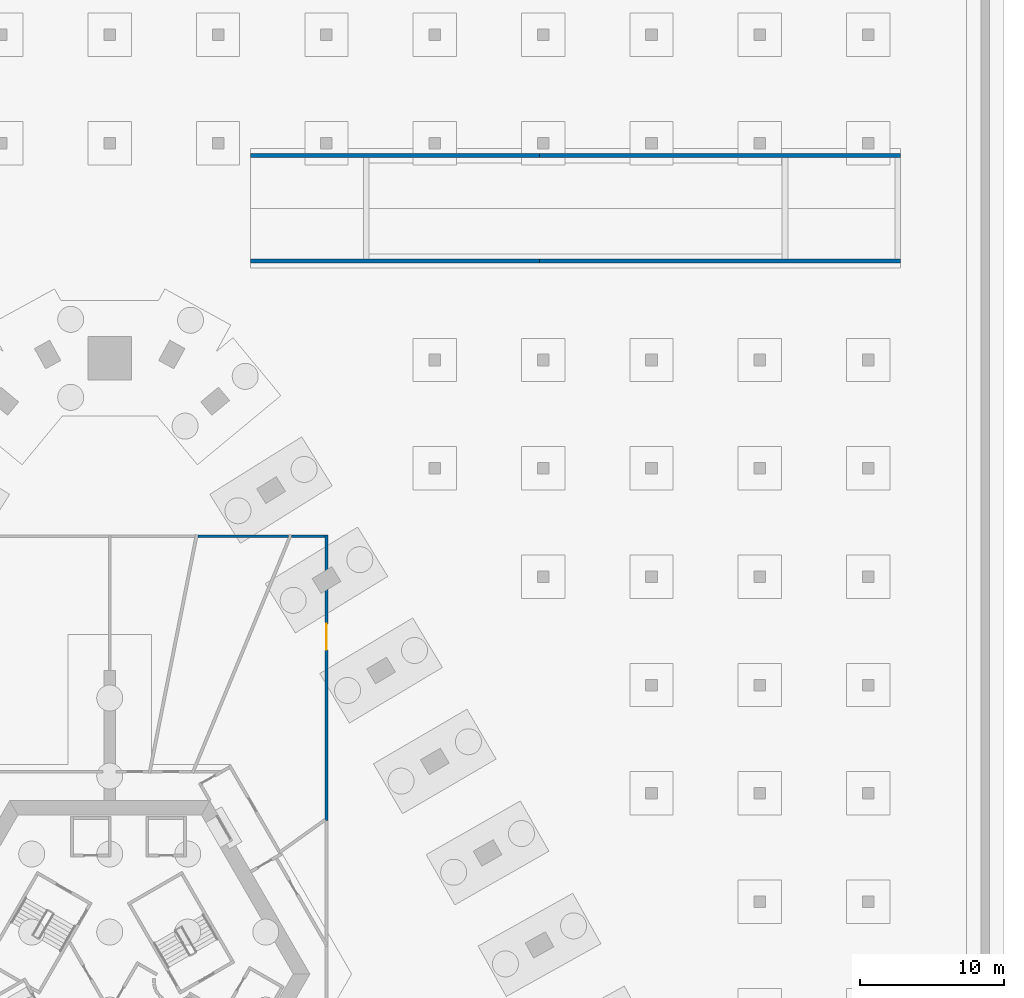
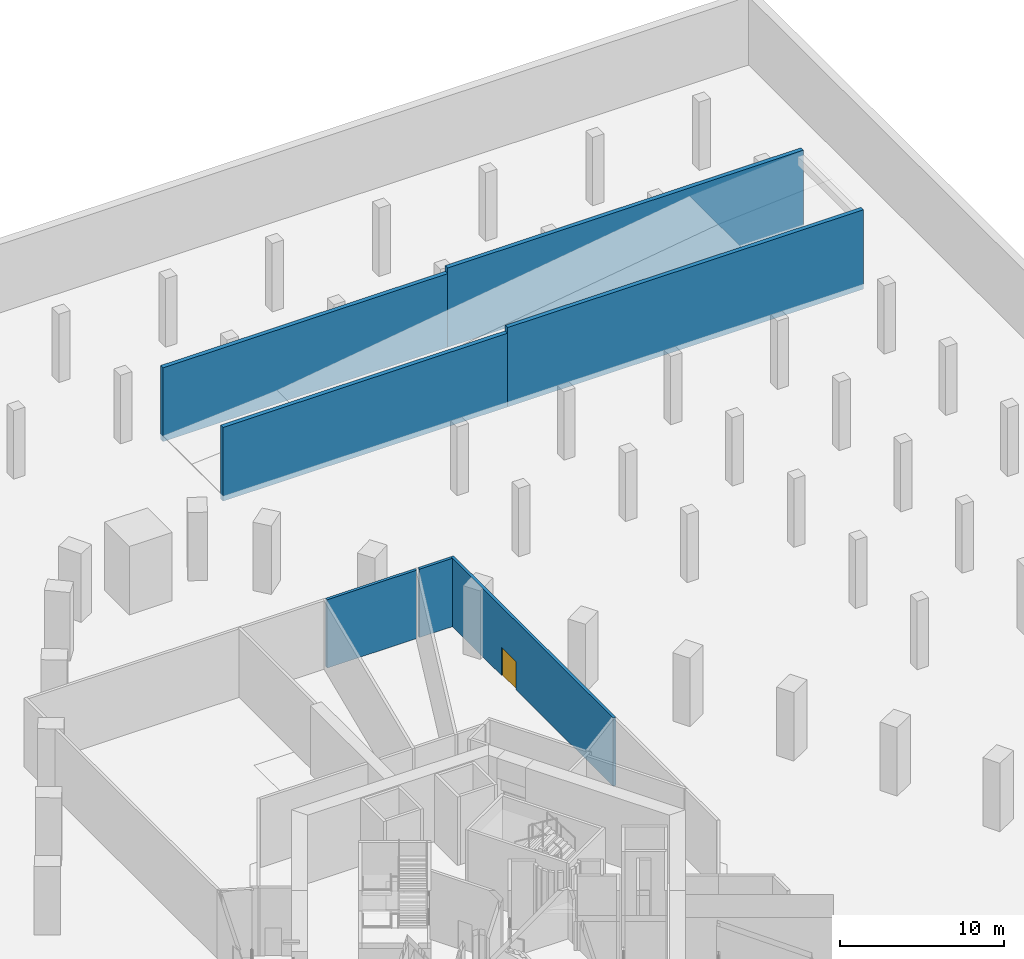
# One storey, part 10 of 14: 7 walls, 1 door, 1 opening.
"""IFC4 building model written with IfcOpenShell, lengths in metres."""

import ifcopenshell
import ifcopenshell.guid

model = None  # the IFC model being written
_history = None  # IfcOwnerHistory: only IFC2X3 demands one
_inside = {}  # id of a spatial element -> (the spatial element, [elements in it])
_under = {}  # id of a project, library or spatial element -> (it, [spatial elements below it])
_declared = {}  # id of a project -> (the project, [libraries it declares])
_typed = {}  # id of a type object -> (the type object, [elements of that type])
_made_of = {}  # id of a material, layer set ... -> (it, [elements and type objects made of it])


def new_model(schema):
    """Start an empty IFC model of exactly this schema.

    Asked for "IFC4X3", IfcOpenShell would pick the latest addendum, in which some entities
    have other attributes; the version numbers below select the first issue.
    IFC2X3 requires an IfcOwnerHistory on every rooted entity: one is made here for all.
    """
    global model, _history
    if schema == "IFC4X3":
        model = ifcopenshell.file(schema_version=(4, 3, 0, 0))
    else:
        model = ifcopenshell.file(schema=schema)
    _inside.clear()
    _under.clear()
    _declared.clear()
    _typed.clear()
    _made_of.clear()
    _history = None
    if model.schema == "IFC2X3":
        org = make("IfcOrganization", Name="unknown")
        user = make(
            "IfcPersonAndOrganization",
            ThePerson=make("IfcPerson", FamilyName="unknown"),
            TheOrganization=org,
        )
        app = make(
            "IfcApplication",
            ApplicationDeveloper=org,
            Version="unknown",
            ApplicationFullName="unknown",
            ApplicationIdentifier="unknown",
        )
        _history = make(
            "IfcOwnerHistory",
            OwningUser=user,
            OwningApplication=app,
            ChangeAction="ADDED",
            CreationDate=0,
        )
    return model


def make(cls, **values):
    """One entity of the class cls with the attributes given. An attribute that is None is left unset."""
    return model.create_entity(
        cls, **{name: value for name, value in values.items() if value is not None}
    )


def rooted(cls, **values):
    """An entity with a GlobalId (a new one), such as an element, a storey or a relation."""
    return make(cls, GlobalId=ifcopenshell.guid.new(), OwnerHistory=_history, **values)


def si_unit(unit_type, name, prefix=None):
    """IfcSIUnit, for example si_unit("LENGTHUNIT", "METRE", prefix="MILLI")."""
    return make("IfcSIUnit", UnitType=unit_type, Prefix=prefix, Name=name)


def assignment(units):
    """IfcUnitAssignment: the units of a project."""
    return None if units is None else make("IfcUnitAssignment", Units=units)


def point(xyz):
    """IfcCartesianPoint."""
    return None if xyz is None else make("IfcCartesianPoint", Coordinates=xyz)


def direction(xyz):
    """IfcDirection."""
    return None if xyz is None else make("IfcDirection", DirectionRatios=xyz)


def frame(location, z_axis=None, x_axis=None):
    """IfcAxis2Placement3D, a coordinate frame: its origin and axes. An axis left out is left unset."""
    return make(
        "IfcAxis2Placement3D",
        Location=point(location),
        Axis=direction(z_axis),
        RefDirection=direction(x_axis),
    )


def frame_2d(location, x_axis=None):
    """IfcAxis2Placement2D, a coordinate frame in the plane: its origin and x axis."""
    return make(
        "IfcAxis2Placement2D", Location=point(location), RefDirection=direction(x_axis)
    )


def origin():
    """The frame at (0, 0, 0) with its axes left unset."""
    return frame((0.0, 0.0, 0.0))


def place(relative_to, where):
    """IfcLocalPlacement: puts the frame where relative to a parent placement (None: the world)."""
    return make(
        "IfcLocalPlacement", PlacementRelTo=relative_to, RelativePlacement=where
    )


def context(
    kind, dimensions, precision=None, world=None, true_north=None, identifier=None
):
    """IfcGeometricRepresentationContext, for example the 3D "Model" context."""
    return make(
        "IfcGeometricRepresentationContext",
        ContextIdentifier=identifier,
        ContextType=kind,
        CoordinateSpaceDimension=dimensions,
        Precision=precision,
        WorldCoordinateSystem=world,
        TrueNorth=true_north,
    )


def subcontext(parent, identifier, kind, view, scale=None):
    """IfcGeometricRepresentationSubContext, for example "Body" below "Model"."""
    return make(
        "IfcGeometricRepresentationSubContext",
        ContextIdentifier=identifier,
        ContextType=kind,
        ParentContext=parent,
        TargetScale=scale,
        TargetView=view,
    )


def project(units=None, contexts=None):
    """IfcProject with its units and contexts."""
    return rooted(
        "IfcProject",
        Name="project",
        RepresentationContexts=contexts,
        UnitsInContext=assignment(units),
    )


def spatial(cls, under=None, at=None, **own):
    """A site, building, storey or space (cls), placed at a placement, below another one or the project."""
    s = rooted(cls, ObjectPlacement=at, **own)
    if under is not None:
        _under.setdefault(under.id(), (under, []))[1].append(s)
    return s


def profile(cls, at=None, kind="AREA", **sizes):
    """A parametric profile (cls). Its sizes go by their IFC names, for example OverallWidth=200.0."""
    return make(cls, ProfileType=kind, Position=at, **sizes)


def rectangle(**sizes):
    """IfcRectangleProfileDef."""
    return profile("IfcRectangleProfileDef", **sizes)


def extrude(swept, where, along, depth):
    """IfcExtrudedAreaSolid: the profile swept, set in the frame where, extruded along a direction by depth."""
    return make(
        "IfcExtrudedAreaSolid",
        SweptArea=swept,
        Position=where,
        ExtrudedDirection=direction(along),
        Depth=depth,
    )


def shape(context_of_items, identifier, shape_type, items):
    """IfcShapeRepresentation: the items that make up one representation, for example the "Body"."""
    return make(
        "IfcShapeRepresentation",
        ContextOfItems=context_of_items,
        RepresentationIdentifier=identifier,
        RepresentationType=shape_type,
        Items=items,
    )


def material(Name=None, Category=None):
    """IfcMaterial."""
    return make("IfcMaterial", Name=Name, Category=Category)


def layer(
    of_material, thickness, ventilated=None, Name=None, Category=None, Priority=None
):
    """IfcMaterialLayer: one layer of a wall or slab, of a material (None: an air gap)."""
    return make(
        "IfcMaterialLayer",
        Material=of_material,
        LayerThickness=thickness,
        IsVentilated=ventilated,
        Name=Name,
        Category=Category,
        Priority=Priority,
    )


def layer_set(layers, Name=None):
    """IfcMaterialLayerSet."""
    return make("IfcMaterialLayerSet", MaterialLayers=layers, LayerSetName=Name)


def made_of(thing, what):
    """Note that an element or type object is made of a material, layer set ...; save() writes the relation."""
    if what is not None:
        _made_of.setdefault(what.id(), (what, []))[1].append(thing)
    return thing


def type_object(cls, material=None, **own):
    """A type object (cls), such as IfcWallType, which elements share."""
    return made_of(rooted(cls, **own), material)


def element(
    cls,
    number,
    at=None,
    inside=None,
    cuts=None,
    type_object=None,
    material=None,
    context=None,
    identifier="Body",
    shape_type=None,
    held_by="IfcProductDefinitionShape",
    body=None,
    shapes=None,
    **own,
):
    """One element of the class cls, such as IfcWall. Its Tag is "e" and its number.

    at: its placement. inside: the storey or other place that contains it. cuts: it is an
    opening in that element (IfcRelVoidsElement). A single representation is given by context,
    identifier, shape_type and body (its items); several are given by shapes. held_by: the class
    of the entity that holds the representations. save() writes the other relations.
    """
    e = rooted(cls, Tag="e%d" % number, ObjectPlacement=at, **own)
    if body is not None:
        shapes = [shape(context, identifier, shape_type, body)]
    if shapes is not None:
        e.Representation = make(held_by, Representations=shapes)
    if inside is not None:
        _inside.setdefault(inside.id(), (inside, []))[1].append(e)
    if cuts is not None:
        rooted(
            "IfcRelVoidsElement", RelatingBuildingElement=cuts, RelatedOpeningElement=e
        )
    if type_object is not None:
        _typed.setdefault(type_object.id(), (type_object, []))[1].append(e)
    return made_of(e, material)


def fill(opening, filler):
    """IfcRelFillsElement: the door or window that sits in an opening."""
    return rooted(
        "IfcRelFillsElement",
        RelatingOpeningElement=opening,
        RelatedBuildingElement=filler,
    )


def aggregate(whole, parts):
    """IfcRelAggregates: a whole, such as a stair, and the parts it consists of."""
    return rooted("IfcRelAggregates", RelatingObject=whole, RelatedObjects=parts)


def save(model, path):
    """Write the relations noted so far, then the file.

    IfcRelAggregates (storeys below a building ...), IfcRelContainedInSpatialStructure (elements
    in a storey), IfcRelDefinesByType, IfcRelAssociatesMaterial and IfcRelDeclares: one each for
    every whole, place, type object, material and project.
    """
    for whole, parts in _under.values():
        aggregate(whole, parts)
    for where, things in _inside.values():
        rooted(
            "IfcRelContainedInSpatialStructure",
            RelatedElements=things,
            RelatingStructure=where,
        )
    for kind, things in _typed.values():
        rooted("IfcRelDefinesByType", RelatedObjects=things, RelatingType=kind)
    for what, things in _made_of.values():
        rooted("IfcRelAssociatesMaterial", RelatedObjects=things, RelatingMaterial=what)
    for by, libraries in _declared.values():
        rooted("IfcRelDeclares", RelatingContext=by, RelatedDefinitions=libraries)
    model.write(path)


model = new_model("IFC4")

# Units and contexts
model_context = context("Model", 3, precision=1e-05, world=origin(), true_north=direction((0.0, 1.0)))
body_context = subcontext(model_context, "Body", "Model", "MODEL_VIEW")
ifc_project = project(units=[si_unit("LENGTHUNIT", "METRE"), si_unit("AREAUNIT", "SQUARE_METRE"), si_unit("VOLUMEUNIT", "CUBIC_METRE"), si_unit("PLANEANGLEUNIT", "RADIAN"), si_unit("MASSUNIT", "GRAM", prefix="KILO")], contexts=[model_context])

# Site, building, storey
site_placement = place(None, origin())
site = spatial("IfcSite", under=ifc_project, at=site_placement, CompositionType="ELEMENT")
building_placement = place(site_placement, origin())
building = spatial("IfcBuilding", under=site, at=building_placement, Name="Entoto Arch Interchange Tower", CompositionType="ELEMENT")
storey_placement = place(building_placement, frame((0.0, 0.0, -16.5)))
storey = spatial("IfcBuildingStorey", under=building, at=storey_placement, Name="B3", CompositionType="ELEMENT", Elevation=-16.5)

# Walls
ifc_material_1 = material(Name="Concrete C40/50", Category="concrete")
ifc_layer_1 = layer(ifc_material_1, 0.300048828125)
ifc_layer_set_1 = layer_set([ifc_layer_1], Name="Concrete C40/50")
wall_type_1 = type_object("IfcWallType", Name="Car ramp kerb wall 300 C40/50", PredefinedType="SOLIDWALL", material=ifc_layer_set_1)
for number, where, z_axis, x_axis, name in (
    (1, (29.75, 51.85009765625, -0.39990234375), (0.0, 0.0, 1.0), (1.0, 0.0, 0.0), "Car ramp R3 kerb wall"),
    (2, (29.75, 59.14990234375, -0.39990234375), (0.0, 0.0, 1.0), (1.0, 0.0, 0.0), "Car ramp R3 kerb wall"),
):
    element("IfcWall", number, at=place(storey_placement, frame(where, z_axis=z_axis, x_axis=x_axis)), inside=storey, type_object=wall_type_1, Name=name, PredefinedType="SOLIDWALL", context=body_context, shape_type="SweptSolid", body=[
        extrude(rectangle(XDim=25.0, YDim=0.300048828125, at=frame_2d((12.5, 0.0))), origin(), (0.0, 0.0, 1.0), 5.89990234375),
    ])
for number, where, z_axis, x_axis, name in (
    (3, (9.75, 51.85009765625, -0.39990234375), (0.0, 0.0, 1.0), (1.0, 0.0, 0.0), "Car ramp R3 kerb wall"),
    (4, (9.75, 59.14990234375, -0.39990234375), (0.0, 0.0, 1.0), (1.0, 0.0, 0.0), "Car ramp R3 kerb wall"),
):
    element("IfcWall", number, at=place(storey_placement, frame(where, z_axis=z_axis, x_axis=x_axis)), inside=storey, type_object=wall_type_1, Name=name, PredefinedType="SOLIDWALL", context=body_context, shape_type="SweptSolid", body=[
        extrude(rectangle(XDim=20.0, YDim=0.300048828125, at=frame_2d((10.0, 0.0))), origin(), (0.0, 0.0, 1.0), 5.47998046875),
    ])
ifc_material_2 = material(Name="Gypsum board partition on steel studs", Category="steel")
ifc_layer_2 = layer(ifc_material_2, 0.199951171875)
ifc_layer_set_2 = layer_set([ifc_layer_2], Name="Gypsum board partition on steel studs")
wall_type_2 = type_object("IfcWallType", Name="PARTITION 200", PredefinedType="PARTITIONING", material=ifc_layer_set_2)
wall_1_placement = place(storey_placement, frame((12.590087890625, 32.800048828125, 0.0), z_axis=(0.0, 0.0, 1.0), x_axis=(1.0, 0.0, 0.0)))
element("IfcWall", 5, at=wall_1_placement, inside=storey, type_object=wall_type_2, Name="wall:B3:p042", PredefinedType="PARTITIONING", context=body_context, shape_type="SweptSolid", body=[
    extrude(rectangle(XDim=2.309814453125, YDim=0.199951171875, at=frame_2d((1.15478515625, 0.0))), origin(), (0.0, 0.0, 1.0), 5.080078125),
])

# Wall, opening, door
wall_2_placement = place(storey_placement, frame((15.0, 32.89990234375, 0.0), z_axis=(0.0, 0.0, 1.0), x_axis=(0.0, -1.0, 0.0)))
wall_2 = element("IfcWall", 6, at=wall_2_placement, inside=storey, type_object=wall_type_2, Name="wall:B3:p043", PredefinedType="PARTITIONING", context=body_context, shape_type="SweptSolid", body=[
    extrude(rectangle(XDim=19.761962890625, YDim=0.199951171875, at=frame_2d((9.880859375, 0.0))), origin(), (0.0, 0.0, 1.0), 5.080078125),
])
opening_placement = place(wall_2_placement, frame((6.16796875, 0.0, 0.0)))
opening = element("IfcOpeningElement", 7, at=opening_placement, cuts=wall_2, Name="Opening B3-D21", PredefinedType="OPENING", context=body_context, shape_type="SweptSolid", body=[
    extrude(rectangle(XDim=1.800048828125, YDim=2.10009765625, at=frame_2d((0.89990234375, 1.050048828125))), frame((0.0, 0.10986328125, 0.0), z_axis=(0.0, -1.0, 0.0), x_axis=(1.0, 0.0, 0.0)), (0.0, 0.0, 1.0), 0.219970703125),
])
ifc_material_3 = material(Name="Timber door leaf in Steel S235 frame", Category="steel")
door_type = type_object("IfcDoorType", Name="DOOR DD-18 1800x2100", OperationType="DOUBLE_DOOR_SINGLE_SWING", PredefinedType="DOOR", material=ifc_material_3)
door_placement = place(opening_placement, origin())
door = element("IfcDoor", 8, at=door_placement, inside=storey, type_object=door_type, Name="door:B3:21", OperationType="DOUBLE_DOOR_SINGLE_SWING", OverallHeight=2.10009765625, OverallWidth=1.800048828125, PredefinedType="DOOR", context=body_context, shape_type="SweptSolid", body=[
    extrude(rectangle(XDim=1.800048828125, YDim=2.10009765625, at=frame_2d((0.89990234375, 1.050048828125))), frame((0.0, 0.02490234375, 0.0), z_axis=(0.0, -1.0, 0.0), x_axis=(1.0, 0.0, 0.0)), (0.0, 0.0, 1.0), 0.050048828125),
])
fill(opening, door)

# Wall
wall_3_placement = place(storey_placement, frame((6.10009765625, 32.800048828125, 0.0), z_axis=(0.0, 0.0, 1.0), x_axis=(1.0, 0.0, 0.0)))
element("IfcWall", 9, at=wall_3_placement, inside=storey, type_object=wall_type_2, Name="wall:B3:p046", PredefinedType="PARTITIONING", context=body_context, shape_type="SweptSolid", body=[
    extrude(rectangle(XDim=6.289794921875, YDim=0.199951171875, at=frame_2d((3.14501953125, 0.0))), origin(), (0.0, 0.0, 1.0), 5.080078125),
])

save(model, "model.ifc")
